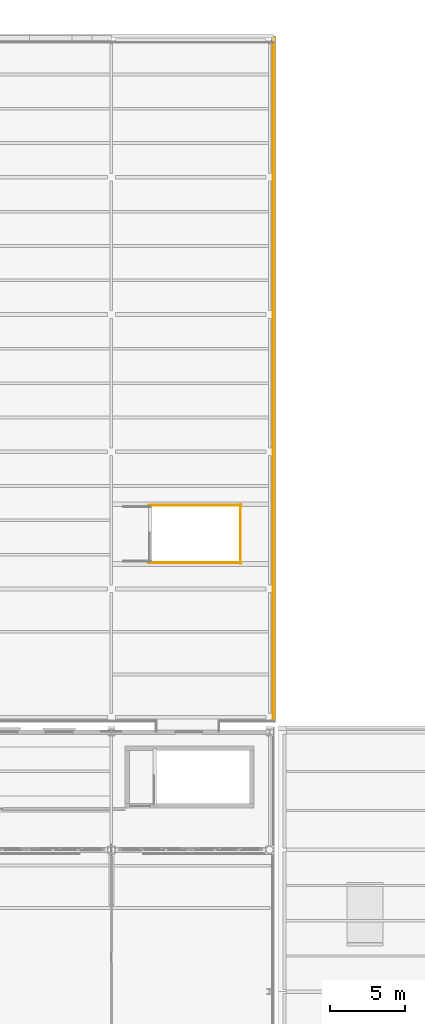
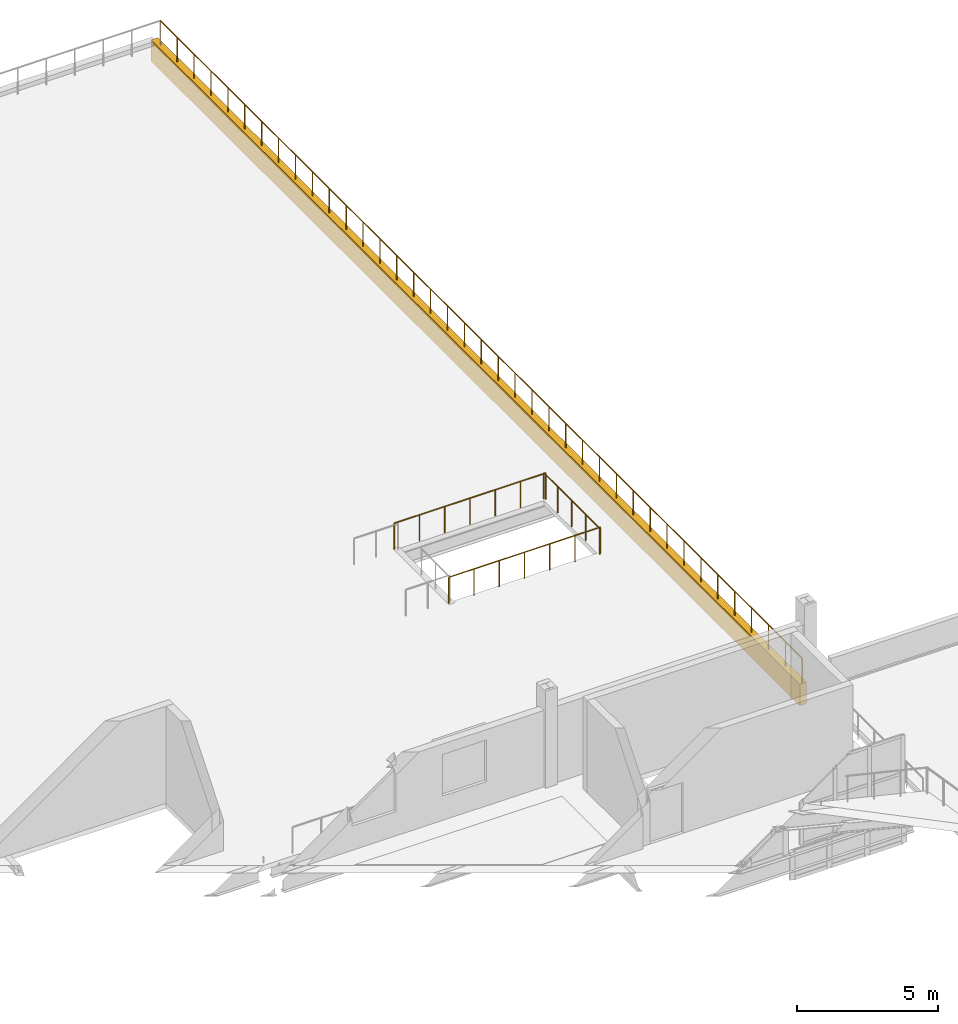
# One storey, part 120 of 120: 4 railings, 1 covering.
"""IFC4 building model written with IfcOpenShell, lengths in metres."""

from ifc_helpers import new_model, si_unit, direction, frame, frame_2d, origin, origin_2d, place, context, subcontext, project, spatial, rectangle, circle, extrude, material, layer, layer_set, type_object, element, save


model = new_model("IFC4")

# Units and contexts
model_context = context("Model", 3, precision=1e-05, world=origin(), true_north=direction((0.0, 1.0)))
body_context = subcontext(model_context, "Body", "Model", "MODEL_VIEW")
ifc_project = project(units=[si_unit("LENGTHUNIT", "METRE"), si_unit("AREAUNIT", "SQUARE_METRE"), si_unit("VOLUMEUNIT", "CUBIC_METRE"), si_unit("PLANEANGLEUNIT", "RADIAN"), si_unit("MASSUNIT", "GRAM", prefix="KILO")], contexts=[model_context])

# Site, building, storey
site_placement = place(None, origin())
site = spatial("IfcSite", under=ifc_project, at=site_placement, CompositionType="ELEMENT")
building_placement = place(site_placement, origin())
building = spatial("IfcBuilding", under=site, at=building_placement, Name="Caurita Quay Ferry Terminal", CompositionType="ELEMENT")
storey_placement = place(building_placement, frame((0.0, 0.0, 9.89990234375)))
storey = spatial("IfcBuildingStorey", under=building, at=storey_placement, Name="L02", CompositionType="ELEMENT", Elevation=9.89990234375)

# Covering
ifc_material_1 = material(Name="Coral stone ashlar cladding", Category="masonry")
ifc_layer = layer(ifc_material_1, 0.239990234375, Name="Classical coral-stone entablature and cornice moulding 240 mm")
ifc_layer_set = layer_set([ifc_layer], Name="Coral stone ashlar cladding")
covering_type = type_object("IfcCoveringType", Name="COV-ENT-MLD", PredefinedType="MOLDING", material=ifc_layer_set)
covering_placement = place(storey_placement, frame((132.06005859375, 71.300048828125, -0.849853515625), z_axis=(0.0, 0.0, 1.0), x_axis=(0.0, 1.0, 0.0)))
element("IfcCovering", 1, at=covering_placement, inside=storey, type_object=covering_type, Name="L02 Classical Entablature Cornice 039", PredefinedType="MOLDING", context=body_context, shape_type="SweptSolid", body=[
    extrude(rectangle(XDim=45.97998046875, YDim=0.280029296875, at=frame_2d((22.989990234375, 0.0))), origin(), (0.0, 0.0, 1.0), 0.929931640625),
])

# Railings
ifc_material_2 = material(Name="Bronze architectural metalwork", Category="metal")
railing_type = type_object("IfcRailingType", Name="RL-REJA-115", PredefinedType="BALUSTRADE", material=ifc_material_2)
railing_1_placement = place(storey_placement, frame((132.050048828125, 116.85009765625, 0.0)))
element("IfcRailing", 2, at=railing_1_placement, inside=storey, type_object=railing_type, Name="Upper Roof Garden Balustrade (036)", PredefinedType="BALUSTRADE", context=body_context, shape_type="SweptSolid", body=[
    extrude(circle(Radius=0.02392578125, at=origin_2d()), frame((0.0, 0.0, 1.1259765625), z_axis=(0.0, -1.0, 0.0), x_axis=(1.0, 0.0, 0.0)), (0.0, 0.0, 1.0), 45.5),
    extrude(circle(Radius=0.02099609375, at=origin_2d()), origin(), (0.0, 0.0, 1.0), 1.101806640625),
    extrude(circle(Radius=0.02099609375, at=origin_2d()), frame((0.0, -1.197265625, 0.0)), (0.0, 0.0, 1.0), 1.101806640625),
    extrude(circle(Radius=0.02099609375, at=origin_2d()), frame((0.0, -2.394775390625, 0.0)), (0.0, 0.0, 1.0), 1.101806640625),
    extrude(circle(Radius=0.02099609375, at=origin_2d()), frame((0.0, -3.592041015625, 0.0)), (0.0, 0.0, 1.0), 1.101806640625),
    extrude(circle(Radius=0.02099609375, at=origin_2d()), frame((0.0, -4.78955078125, 0.0)), (0.0, 0.0, 1.0), 1.101806640625),
    extrude(circle(Radius=0.02099609375, at=origin_2d()), frame((0.0, -5.98681640625, 0.0)), (0.0, 0.0, 1.0), 1.101806640625),
    extrude(circle(Radius=0.02099609375, at=origin_2d()), frame((0.0, -7.184326171875, 0.0)), (0.0, 0.0, 1.0), 1.101806640625),
    extrude(circle(Radius=0.02099609375, at=origin_2d()), frame((0.0, -8.381591796875, 0.0)), (0.0, 0.0, 1.0), 1.101806640625),
    extrude(circle(Radius=0.02099609375, at=origin_2d()), frame((0.0, -9.578857421875, 0.0)), (0.0, 0.0, 1.0), 1.101806640625),
    extrude(circle(Radius=0.02099609375, at=origin_2d()), frame((0.0, -10.7763671875, 0.0)), (0.0, 0.0, 1.0), 1.101806640625),
    extrude(circle(Radius=0.02099609375, at=origin_2d()), frame((0.0, -11.9736328125, 0.0)), (0.0, 0.0, 1.0), 1.101806640625),
    extrude(circle(Radius=0.02099609375, at=origin_2d()), frame((0.0, -13.171142578125, 0.0)), (0.0, 0.0, 1.0), 1.101806640625),
    extrude(circle(Radius=0.02099609375, at=origin_2d()), frame((0.0, -14.368408203125, 0.0)), (0.0, 0.0, 1.0), 1.101806640625),
    extrude(circle(Radius=0.02099609375, at=origin_2d()), frame((0.0, -15.565673828125, 0.0)), (0.0, 0.0, 1.0), 1.101806640625),
    extrude(circle(Radius=0.02099609375, at=origin_2d()), frame((0.0, -16.76318359375, 0.0)), (0.0, 0.0, 1.0), 1.101806640625),
    extrude(circle(Radius=0.02099609375, at=origin_2d()), frame((0.0, -17.96044921875, 0.0)), (0.0, 0.0, 1.0), 1.101806640625),
    extrude(circle(Radius=0.02099609375, at=origin_2d()), frame((0.0, -19.157958984375, 0.0)), (0.0, 0.0, 1.0), 1.101806640625),
    extrude(circle(Radius=0.02099609375, at=origin_2d()), frame((0.0, -20.355224609375, 0.0)), (0.0, 0.0, 1.0), 1.101806640625),
    extrude(circle(Radius=0.02099609375, at=origin_2d()), frame((0.0, -21.552734375, 0.0)), (0.0, 0.0, 1.0), 1.101806640625),
    extrude(circle(Radius=0.02099609375, at=origin_2d()), frame((0.0, -22.75, 0.0)), (0.0, 0.0, 1.0), 1.101806640625),
    extrude(circle(Radius=0.02099609375, at=origin_2d()), frame((0.0, -23.947265625, 0.0)), (0.0, 0.0, 1.0), 1.101806640625),
    extrude(circle(Radius=0.02099609375, at=origin_2d()), frame((0.0, -25.144775390625, 0.0)), (0.0, 0.0, 1.0), 1.101806640625),
    extrude(circle(Radius=0.02099609375, at=origin_2d()), frame((0.0, -26.342041015625, 0.0)), (0.0, 0.0, 1.0), 1.101806640625),
    extrude(circle(Radius=0.02099609375, at=origin_2d()), frame((0.0, -27.53955078125, 0.0)), (0.0, 0.0, 1.0), 1.101806640625),
    extrude(circle(Radius=0.02099609375, at=origin_2d()), frame((0.0, -28.73681640625, 0.0)), (0.0, 0.0, 1.0), 1.101806640625),
    extrude(circle(Radius=0.02099609375, at=origin_2d()), frame((0.0, -29.934326171875, 0.0)), (0.0, 0.0, 1.0), 1.101806640625),
    extrude(circle(Radius=0.02099609375, at=origin_2d()), frame((0.0, -31.131591796875, 0.0)), (0.0, 0.0, 1.0), 1.101806640625),
    extrude(circle(Radius=0.02099609375, at=origin_2d()), frame((0.0, -32.328857421875, 0.0)), (0.0, 0.0, 1.0), 1.101806640625),
    extrude(circle(Radius=0.02099609375, at=origin_2d()), frame((0.0, -33.5263671875, 0.0)), (0.0, 0.0, 1.0), 1.101806640625),
    extrude(circle(Radius=0.02099609375, at=origin_2d()), frame((0.0, -34.7236328125, 0.0)), (0.0, 0.0, 1.0), 1.101806640625),
    extrude(circle(Radius=0.02099609375, at=origin_2d()), frame((0.0, -35.921142578125, 0.0)), (0.0, 0.0, 1.0), 1.101806640625),
    extrude(circle(Radius=0.02099609375, at=origin_2d()), frame((0.0, -37.118408203125, 0.0)), (0.0, 0.0, 1.0), 1.101806640625),
    extrude(circle(Radius=0.02099609375, at=origin_2d()), frame((0.0, -38.315673828125, 0.0)), (0.0, 0.0, 1.0), 1.101806640625),
    extrude(circle(Radius=0.02099609375, at=origin_2d()), frame((0.0, -39.51318359375, 0.0)), (0.0, 0.0, 1.0), 1.101806640625),
    extrude(circle(Radius=0.02099609375, at=origin_2d()), frame((0.0, -40.71044921875, 0.0)), (0.0, 0.0, 1.0), 1.101806640625),
    extrude(circle(Radius=0.02099609375, at=origin_2d()), frame((0.0, -41.907958984375, 0.0)), (0.0, 0.0, 1.0), 1.101806640625),
    extrude(circle(Radius=0.02099609375, at=origin_2d()), frame((0.0, -43.105224609375, 0.0)), (0.0, 0.0, 1.0), 1.101806640625),
    extrude(circle(Radius=0.02099609375, at=origin_2d()), frame((0.0, -44.302734375, 0.0)), (0.0, 0.0, 1.0), 1.101806640625),
    extrude(circle(Radius=0.02099609375, at=origin_2d()), frame((0.0, -45.5, 0.0)), (0.0, 0.0, 1.0), 1.101806640625),
])
for number, where, name in (
    (3, (123.699951171875, 81.949951171875, 0.0), "L02 ST-13 top well guard 2"),
    (4, (123.699951171875, 85.81005859375, 0.0), "L02 ST-13 top well guard 3"),
):
    element("IfcRailing", number, at=place(storey_placement, frame(where)), inside=storey, type_object=railing_type, Name=name, PredefinedType="BALUSTRADE", context=body_context, shape_type="SweptSolid", body=[
        extrude(circle(Radius=0.02392578125, at=origin_2d()), frame((0.0, 0.0, 1.1259765625), z_axis=(1.0, 0.0, 0.0), x_axis=(0.0, 1.0, 0.0)), (0.0, 0.0, 1.0), 6.199951171875),
        extrude(circle(Radius=0.02099609375, at=origin_2d()), origin(), (0.0, 0.0, 1.0), 1.101806640625),
        extrude(circle(Radius=0.02099609375, at=origin_2d()), frame((1.033203125, 0.0, 0.0)), (0.0, 0.0, 1.0), 1.101806640625),
        extrude(circle(Radius=0.02099609375, at=origin_2d()), frame((2.066650390625, 0.0, 0.0)), (0.0, 0.0, 1.0), 1.101806640625),
        extrude(circle(Radius=0.02099609375, at=origin_2d()), frame((3.10009765625, 0.0, 0.0)), (0.0, 0.0, 1.0), 1.101806640625),
        extrude(circle(Radius=0.02099609375, at=origin_2d()), frame((4.13330078125, 0.0, 0.0)), (0.0, 0.0, 1.0), 1.101806640625),
        extrude(circle(Radius=0.02099609375, at=origin_2d()), frame((5.16650390625, 0.0, 0.0)), (0.0, 0.0, 1.0), 1.101806640625),
        extrude(circle(Radius=0.02099609375, at=origin_2d()), frame((6.199951171875, 0.0, 0.0)), (0.0, 0.0, 1.0), 1.101806640625),
    ])
railing_2_placement = place(storey_placement, frame((129.85009765625, 81.89990234375, 0.0)))
element("IfcRailing", 5, at=railing_2_placement, inside=storey, type_object=railing_type, Name="L02 ST-13 top well guard 4", PredefinedType="BALUSTRADE", context=body_context, shape_type="SweptSolid", body=[
    extrude(circle(Radius=0.02392578125, at=origin_2d()), frame((0.0, 0.0, 1.1259765625), z_axis=(0.0, 1.0, 0.0), x_axis=(-1.0, 0.0, 0.0)), (0.0, 0.0, 1.0), 3.960205078125),
    extrude(circle(Radius=0.02099609375, at=origin_2d()), origin(), (0.0, 0.0, 1.0), 1.101806640625),
    extrude(circle(Radius=0.02099609375, at=origin_2d()), frame((0.0, 0.989990234375, 0.0)), (0.0, 0.0, 1.0), 1.101806640625),
    extrude(circle(Radius=0.02099609375, at=origin_2d()), frame((0.0, 1.97998046875, 0.0)), (0.0, 0.0, 1.0), 1.101806640625),
    extrude(circle(Radius=0.02099609375, at=origin_2d()), frame((0.0, 2.97021484375, 0.0)), (0.0, 0.0, 1.0), 1.101806640625),
    extrude(circle(Radius=0.02099609375, at=origin_2d()), frame((0.0, 3.960205078125, 0.0)), (0.0, 0.0, 1.0), 1.101806640625),
])

save(model, "model.ifc")
